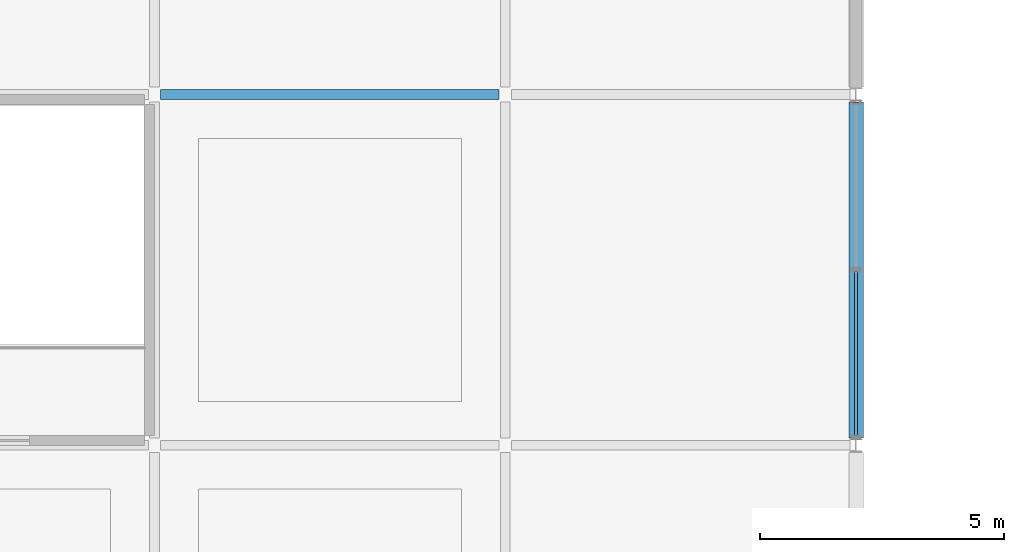
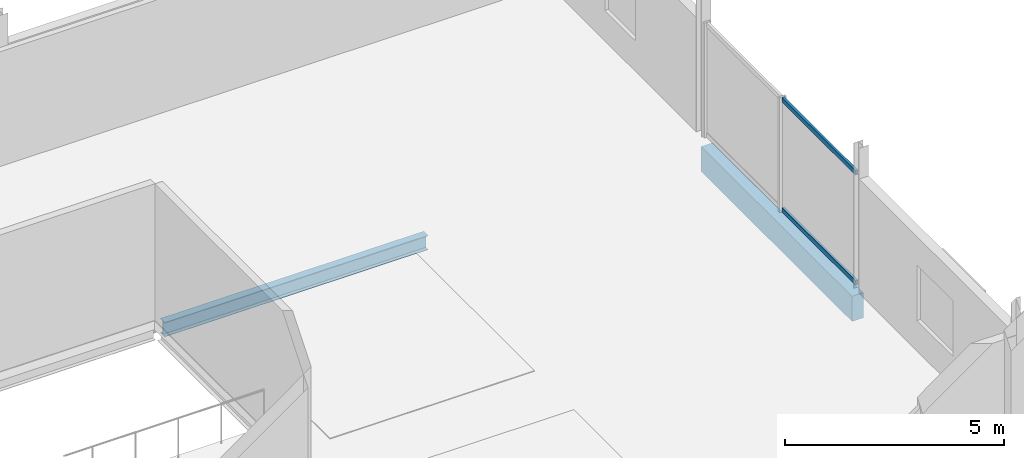
# One storey, part 18 of 107: 2 beams, 2 members, 1 element without a shape of its own.
"""IFC4 building model written with IfcOpenShell, lengths in metres."""

from ifc_helpers import new_model, si_unit, direction, frame, origin, origin_2d, place, context, subcontext, project, spatial, rectangle, hollow_rectangle, i_section, extrude, material, layer, layer_set, material_profile, profile_set, type_object, element, aggregate, save


model = new_model("IFC4")

# Units and contexts
model_context = context("Model", 3, precision=1e-05, world=origin(), true_north=direction((0.0, 1.0)))
body_context = subcontext(model_context, "Body", "Model", "MODEL_VIEW")
ifc_project = project(units=[si_unit("LENGTHUNIT", "METRE"), si_unit("AREAUNIT", "SQUARE_METRE"), si_unit("VOLUMEUNIT", "CUBIC_METRE"), si_unit("PLANEANGLEUNIT", "RADIAN"), si_unit("MASSUNIT", "GRAM", prefix="KILO")], contexts=[model_context])

# Site, building, storey
site_placement = place(None, origin())
site = spatial("IfcSite", under=ifc_project, at=site_placement, CompositionType="ELEMENT")
building_placement = place(site_placement, origin())
building = spatial("IfcBuilding", under=site, at=building_placement, Name="Kangsadwip Square Police Headquarters", CompositionType="ELEMENT")
storey_placement = place(building_placement, frame((0.0, 0.0, 5.39990234375)))
storey = spatial("IfcBuildingStorey", under=building, at=storey_placement, Name="L01", CompositionType="ELEMENT", Elevation=5.39990234375)

# Curtain wall, members
ifc_material_1 = material(Name="Thermally broken anodised aluminium AW-6063-T6", Category="aluminium")
ifc_layer = layer(ifc_material_1, 0.159912109375)
ifc_layer_set = layer_set([ifc_layer], Name="Thermally broken anodised aluminium AW-6063-T6")
curtain_wall_type = type_object("IfcCurtainWallType", Name="UnitisedCw6944x3200", PredefinedType="NOTDEFINED", material=ifc_layer_set)
curtain_wall_placement = place(storey_placement, origin())
curtain_wall = element("IfcCurtainWall", 1, at=curtain_wall_placement, inside=storey, type_object=curtain_wall_type, Name="Curtain Wall CW-L01-0288-0073", PredefinedType="NOTDEFINED")
ifc_material_2 = material(Name="Thermally broken anodised aluminium AW-6063-T6", Category="aluminium")
ifc_material_profile_1 = material_profile(ifc_material_2, hollow_rectangle(XDim=0.06494140625, YDim=0.1298828125, WallThickness=0.00390625, at=origin_2d()), Name="CWT 130X65X4")
ifc_profile_set_1 = profile_set([ifc_material_profile_1], Name="Thermally broken anodised aluminium AW-6063-T6")
member_type = type_object("IfcMemberType", Name="CwTransom140x60", PredefinedType="USERDEFINED", material=ifc_profile_set_1)
member_1_placement = place(storey_placement, frame((28.800048828125, 7.39306640625, 0.065185546875), z_axis=(0.0, 1.0, 0.0), x_axis=(-1.0, 0.0, 0.0)))
member_1 = element("IfcMember", 2, at=member_1_placement, type_object=member_type, Name="CW-27 transom 1.1", ObjectType="TRANSOM", PredefinedType="USERDEFINED", context=body_context, shape_type="SweptSolid", body=[
    extrude(hollow_rectangle(XDim=0.06494140625, YDim=0.1298828125, WallThickness=0.00390625, at=origin_2d()), origin(), (0.0, 0.0, 1.0), 3.37451171875),
])
member_2_placement = place(storey_placement, frame((28.800048828125, 7.39306640625, 3.135009765625), z_axis=(0.0, 1.0, 0.0), x_axis=(-1.0, 0.0, 0.0)))
member_2 = element("IfcMember", 3, at=member_2_placement, type_object=member_type, Name="CW-27 transom 1.2", ObjectType="TRANSOM", PredefinedType="USERDEFINED", context=body_context, shape_type="SweptSolid", body=[
    extrude(hollow_rectangle(XDim=0.06494140625, YDim=0.1298828125, WallThickness=0.00390625, at=origin_2d()), origin(), (0.0, 0.0, 1.0), 3.37451171875),
])
aggregate(curtain_wall, [member_1, member_2])

# Beams
ifc_material_3 = material(Name="Concrete M40 (40 MPa)", Category="concrete")
ifc_material_profile_2 = material_profile(ifc_material_3, rectangle(XDim=0.300048828125, YDim=0.699951171875, at=origin_2d()), Name="RC SPN 700X300")
ifc_profile_set_2 = profile_set([ifc_material_profile_2], Name="Concrete M40 (40 MPa)")
beam_type_1 = type_object("IfcBeamType", Name="RcSpandrel700x300", PredefinedType="SPANDREL", material=ifc_profile_set_2)
beam_1_placement = place(storey_placement, frame((28.800048828125, 7.35009765625, -0.58984375), z_axis=(0.0, 1.0, 0.0), x_axis=(-1.0, 0.0, 0.0)))
element("IfcBeam", 4, at=beam_1_placement, inside=storey, type_object=beam_type_1, Name="Beam BM-L01-Y-04-01", PredefinedType="SPANDREL", context=body_context, shape_type="SweptSolid", body=[
    extrude(rectangle(XDim=0.300048828125, YDim=0.699951171875, at=origin_2d()), origin(), (0.0, 0.0, 1.0), 6.89990234375),
])
ifc_material_4 = material(Name="Structural steel IS 2062 E350 (Grade 350, 350 MPa)", Category="steel")
ifc_material_profile_3 = material_profile(ifc_material_4, i_section(OverallWidth=0.199951171875, OverallDepth=0.39990234375, WebThickness=0.008544921875, FlangeThickness=0.012939453125, at=origin_2d()), Name="ISWB 400")
ifc_profile_set_3 = profile_set([ifc_material_profile_3], Name="Structural steel IS 2062 E350 (Grade 350, 350 MPa)")
beam_type_2 = type_object("IfcBeamType", Name="SteelBeamIswb400", PredefinedType="BEAM", material=ifc_profile_set_3)
beam_2_placement = place(storey_placement, frame((14.52490234375, 14.39990234375, -0.43994140625), z_axis=(1.0, 0.0, 0.0), x_axis=(0.0, 1.0, 0.0)))
element("IfcBeam", 5, at=beam_2_placement, inside=storey, type_object=beam_type_2, Name="Beam BM-L01-X-02-02", PredefinedType="BEAM", context=body_context, shape_type="SweptSolid", body=[
    extrude(i_section(OverallWidth=0.199951171875, OverallDepth=0.39990234375, WebThickness=0.008544921875, FlangeThickness=0.012939453125, at=origin_2d()), origin(), (0.0, 0.0, 1.0), 6.9501953125),
])

save(model, "model.ifc")
